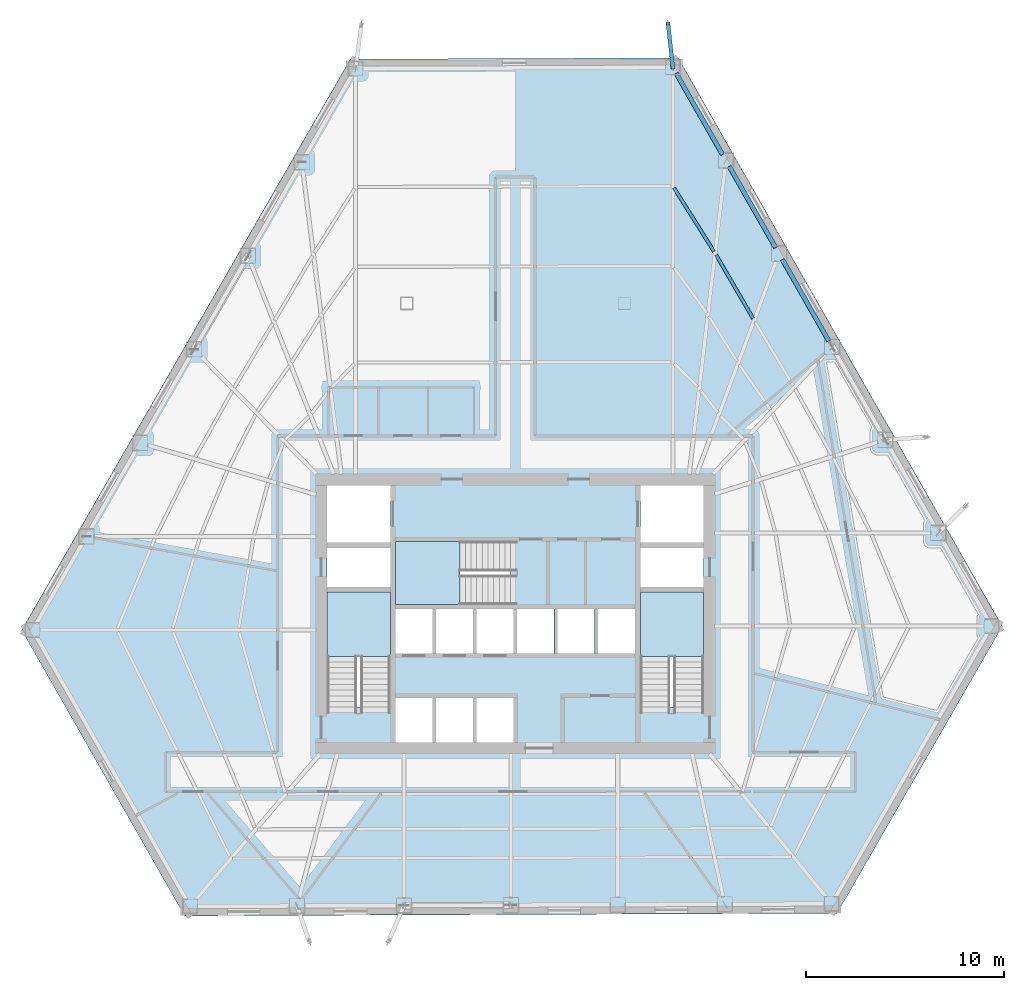
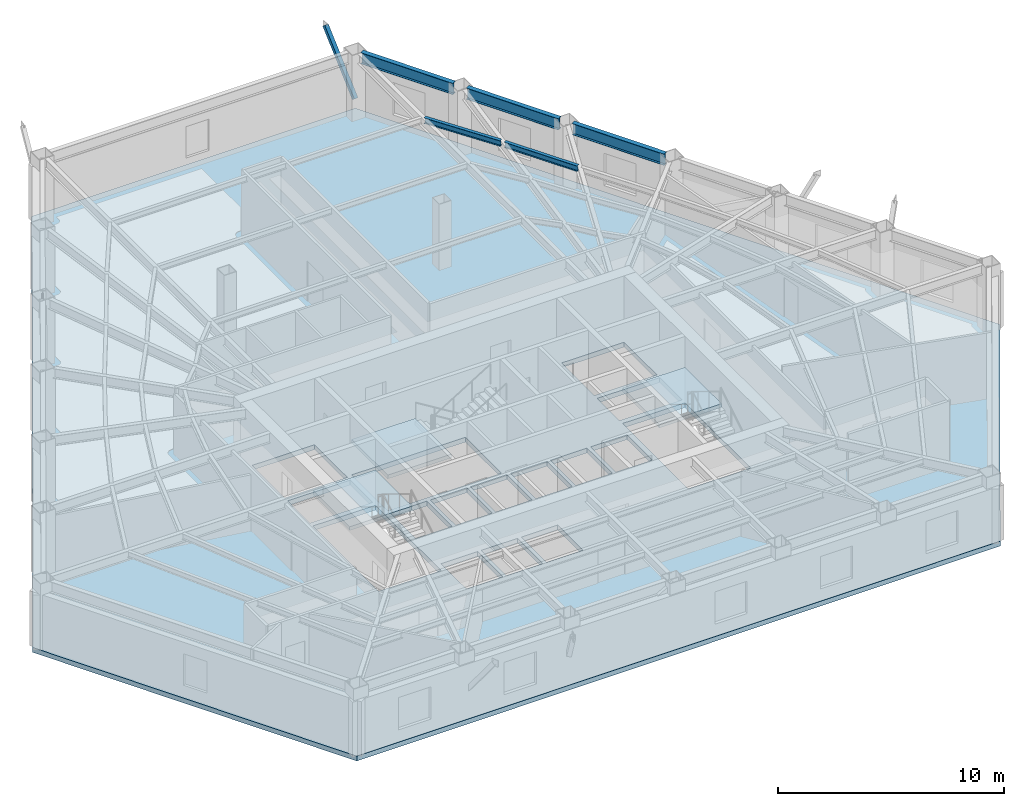
# One storey, part 3 of 12: 5 beams, 4 slabs, 1 member, 3 elements without a shape of their own.
"""IFC4 building model written with IfcOpenShell, lengths in metres."""

import ifcopenshell
import ifcopenshell.guid

model = None  # the IFC model being written
_history = None  # IfcOwnerHistory: only IFC2X3 demands one
_inside = {}  # id of a spatial element -> (the spatial element, [elements in it])
_under = {}  # id of a project, library or spatial element -> (it, [spatial elements below it])
_declared = {}  # id of a project -> (the project, [libraries it declares])
_typed = {}  # id of a type object -> (the type object, [elements of that type])
_made_of = {}  # id of a material, layer set ... -> (it, [elements and type objects made of it])


def new_model(schema):
    """Start an empty IFC model of exactly this schema.

    Asked for "IFC4X3", IfcOpenShell would pick the latest addendum, in which some entities
    have other attributes; the version numbers below select the first issue.
    IFC2X3 requires an IfcOwnerHistory on every rooted entity: one is made here for all.
    """
    global model, _history
    if schema == "IFC4X3":
        model = ifcopenshell.file(schema_version=(4, 3, 0, 0))
    else:
        model = ifcopenshell.file(schema=schema)
    _inside.clear()
    _under.clear()
    _declared.clear()
    _typed.clear()
    _made_of.clear()
    _history = None
    if model.schema == "IFC2X3":
        org = make("IfcOrganization", Name="unknown")
        user = make(
            "IfcPersonAndOrganization",
            ThePerson=make("IfcPerson", FamilyName="unknown"),
            TheOrganization=org,
        )
        app = make(
            "IfcApplication",
            ApplicationDeveloper=org,
            Version="unknown",
            ApplicationFullName="unknown",
            ApplicationIdentifier="unknown",
        )
        _history = make(
            "IfcOwnerHistory",
            OwningUser=user,
            OwningApplication=app,
            ChangeAction="ADDED",
            CreationDate=0,
        )
    return model


def make(cls, **values):
    """One entity of the class cls with the attributes given. An attribute that is None is left unset."""
    return model.create_entity(
        cls, **{name: value for name, value in values.items() if value is not None}
    )


def rooted(cls, **values):
    """An entity with a GlobalId (a new one), such as an element, a storey or a relation."""
    return make(cls, GlobalId=ifcopenshell.guid.new(), OwnerHistory=_history, **values)


def si_unit(unit_type, name, prefix=None):
    """IfcSIUnit, for example si_unit("LENGTHUNIT", "METRE", prefix="MILLI")."""
    return make("IfcSIUnit", UnitType=unit_type, Prefix=prefix, Name=name)


def assignment(units):
    """IfcUnitAssignment: the units of a project."""
    return None if units is None else make("IfcUnitAssignment", Units=units)


def point(xyz):
    """IfcCartesianPoint."""
    return None if xyz is None else make("IfcCartesianPoint", Coordinates=xyz)


def direction(xyz):
    """IfcDirection."""
    return None if xyz is None else make("IfcDirection", DirectionRatios=xyz)


def frame(location, z_axis=None, x_axis=None):
    """IfcAxis2Placement3D, a coordinate frame: its origin and axes. An axis left out is left unset."""
    return make(
        "IfcAxis2Placement3D",
        Location=point(location),
        Axis=direction(z_axis),
        RefDirection=direction(x_axis),
    )


def frame_2d(location, x_axis=None):
    """IfcAxis2Placement2D, a coordinate frame in the plane: its origin and x axis."""
    return make(
        "IfcAxis2Placement2D", Location=point(location), RefDirection=direction(x_axis)
    )


def origin():
    """The frame at (0, 0, 0) with its axes left unset."""
    return frame((0.0, 0.0, 0.0))


def origin_2d():
    """The frame at (0, 0) in the plane with its x axis left unset."""
    return frame_2d((0.0, 0.0))


def place(relative_to, where):
    """IfcLocalPlacement: puts the frame where relative to a parent placement (None: the world)."""
    return make(
        "IfcLocalPlacement", PlacementRelTo=relative_to, RelativePlacement=where
    )


def context(
    kind, dimensions, precision=None, world=None, true_north=None, identifier=None
):
    """IfcGeometricRepresentationContext, for example the 3D "Model" context."""
    return make(
        "IfcGeometricRepresentationContext",
        ContextIdentifier=identifier,
        ContextType=kind,
        CoordinateSpaceDimension=dimensions,
        Precision=precision,
        WorldCoordinateSystem=world,
        TrueNorth=true_north,
    )


def subcontext(parent, identifier, kind, view, scale=None):
    """IfcGeometricRepresentationSubContext, for example "Body" below "Model"."""
    return make(
        "IfcGeometricRepresentationSubContext",
        ContextIdentifier=identifier,
        ContextType=kind,
        ParentContext=parent,
        TargetScale=scale,
        TargetView=view,
    )


def project(units=None, contexts=None):
    """IfcProject with its units and contexts."""
    return rooted(
        "IfcProject",
        Name="project",
        RepresentationContexts=contexts,
        UnitsInContext=assignment(units),
    )


def spatial(cls, under=None, at=None, **own):
    """A site, building, storey or space (cls), placed at a placement, below another one or the project."""
    s = rooted(cls, ObjectPlacement=at, **own)
    if under is not None:
        _under.setdefault(under.id(), (under, []))[1].append(s)
    return s


def polyline(points):
    """IfcPolyline through the points."""
    return make("IfcPolyline", Points=[point(p) for p in points])


def profile(cls, at=None, kind="AREA", **sizes):
    """A parametric profile (cls). Its sizes go by their IFC names, for example OverallWidth=200.0."""
    return make(cls, ProfileType=kind, Position=at, **sizes)


def hollow_rectangle(**sizes):
    """IfcRectangleHollowProfileDef."""
    return profile("IfcRectangleHollowProfileDef", **sizes)


def i_section(**sizes):
    """IfcIShapeProfileDef."""
    return profile("IfcIShapeProfileDef", **sizes)


def outline(outer, holes=None, kind="AREA"):
    """IfcArbitraryClosedProfileDef: a profile drawn as a closed curve; with holes, ...WithVoids."""
    if holes is None:
        return make("IfcArbitraryClosedProfileDef", ProfileType=kind, OuterCurve=outer)
    return make(
        "IfcArbitraryProfileDefWithVoids",
        ProfileType=kind,
        OuterCurve=outer,
        InnerCurves=holes,
    )


def extrude(swept, where, along, depth):
    """IfcExtrudedAreaSolid: the profile swept, set in the frame where, extruded along a direction by depth."""
    return make(
        "IfcExtrudedAreaSolid",
        SweptArea=swept,
        Position=where,
        ExtrudedDirection=direction(along),
        Depth=depth,
    )


def shape(context_of_items, identifier, shape_type, items):
    """IfcShapeRepresentation: the items that make up one representation, for example the "Body"."""
    return make(
        "IfcShapeRepresentation",
        ContextOfItems=context_of_items,
        RepresentationIdentifier=identifier,
        RepresentationType=shape_type,
        Items=items,
    )


def material(Name=None, Category=None):
    """IfcMaterial."""
    return make("IfcMaterial", Name=Name, Category=Category)


def layer(
    of_material, thickness, ventilated=None, Name=None, Category=None, Priority=None
):
    """IfcMaterialLayer: one layer of a wall or slab, of a material (None: an air gap)."""
    return make(
        "IfcMaterialLayer",
        Material=of_material,
        LayerThickness=thickness,
        IsVentilated=ventilated,
        Name=Name,
        Category=Category,
        Priority=Priority,
    )


def layer_set(layers, Name=None):
    """IfcMaterialLayerSet."""
    return make("IfcMaterialLayerSet", MaterialLayers=layers, LayerSetName=Name)


def material_profile(
    of_material, cross_section, Name=None, Category=None, Priority=None
):
    """IfcMaterialProfile: a cross section and its material."""
    return make(
        "IfcMaterialProfile",
        Name=Name,
        Material=of_material,
        Profile=cross_section,
        Priority=Priority,
        Category=Category,
    )


def profile_set(profiles, Name=None, composite=None):
    """IfcMaterialProfileSet."""
    return make(
        "IfcMaterialProfileSet",
        Name=Name,
        MaterialProfiles=profiles,
        CompositeProfile=composite,
    )


def made_of(thing, what):
    """Note that an element or type object is made of a material, layer set ...; save() writes the relation."""
    if what is not None:
        _made_of.setdefault(what.id(), (what, []))[1].append(thing)
    return thing


def type_object(cls, material=None, **own):
    """A type object (cls), such as IfcWallType, which elements share."""
    return made_of(rooted(cls, **own), material)


def element(
    cls,
    number,
    at=None,
    inside=None,
    cuts=None,
    type_object=None,
    material=None,
    context=None,
    identifier="Body",
    shape_type=None,
    held_by="IfcProductDefinitionShape",
    body=None,
    shapes=None,
    **own,
):
    """One element of the class cls, such as IfcWall. Its Tag is "e" and its number.

    at: its placement. inside: the storey or other place that contains it. cuts: it is an
    opening in that element (IfcRelVoidsElement). A single representation is given by context,
    identifier, shape_type and body (its items); several are given by shapes. held_by: the class
    of the entity that holds the representations. save() writes the other relations.
    """
    e = rooted(cls, Tag="e%d" % number, ObjectPlacement=at, **own)
    if body is not None:
        shapes = [shape(context, identifier, shape_type, body)]
    if shapes is not None:
        e.Representation = make(held_by, Representations=shapes)
    if inside is not None:
        _inside.setdefault(inside.id(), (inside, []))[1].append(e)
    if cuts is not None:
        rooted(
            "IfcRelVoidsElement", RelatingBuildingElement=cuts, RelatedOpeningElement=e
        )
    if type_object is not None:
        _typed.setdefault(type_object.id(), (type_object, []))[1].append(e)
    return made_of(e, material)


def aggregate(whole, parts):
    """IfcRelAggregates: a whole, such as a stair, and the parts it consists of."""
    return rooted("IfcRelAggregates", RelatingObject=whole, RelatedObjects=parts)


def save(model, path):
    """Write the relations noted so far, then the file.

    IfcRelAggregates (storeys below a building ...), IfcRelContainedInSpatialStructure (elements
    in a storey), IfcRelDefinesByType, IfcRelAssociatesMaterial and IfcRelDeclares: one each for
    every whole, place, type object, material and project.
    """
    for whole, parts in _under.values():
        aggregate(whole, parts)
    for where, things in _inside.values():
        rooted(
            "IfcRelContainedInSpatialStructure",
            RelatedElements=things,
            RelatingStructure=where,
        )
    for kind, things in _typed.values():
        rooted("IfcRelDefinesByType", RelatedObjects=things, RelatingType=kind)
    for what, things in _made_of.values():
        rooted("IfcRelAssociatesMaterial", RelatedObjects=things, RelatingMaterial=what)
    for by, libraries in _declared.values():
        rooted("IfcRelDeclares", RelatingContext=by, RelatedDefinitions=libraries)
    model.write(path)


model = new_model("IFC4")

# Units and contexts
model_context = context("Model", 3, precision=1e-05, world=origin(), true_north=direction((0.0, 1.0)))
body_context = subcontext(model_context, "Body", "Model", "MODEL_VIEW")
ifc_project = project(units=[si_unit("LENGTHUNIT", "METRE"), si_unit("AREAUNIT", "SQUARE_METRE"), si_unit("VOLUMEUNIT", "CUBIC_METRE"), si_unit("PLANEANGLEUNIT", "RADIAN"), si_unit("MASSUNIT", "GRAM", prefix="KILO")], contexts=[model_context])

# Site, building, storey
site_placement = place(None, origin())
site = spatial("IfcSite", under=ifc_project, at=site_placement, CompositionType="ELEMENT")
building_placement = place(site_placement, origin())
building = spatial("IfcBuilding", under=site, at=building_placement, Name="Kavelnor Concourse Tower", CompositionType="ELEMENT")
storey_placement = place(building_placement, frame((0.0, 0.0, 13.699951171875)))
storey = spatial("IfcBuildingStorey", under=building, at=storey_placement, Name="L03", CompositionType="ELEMENT", Elevation=13.699951171875)

# Beams
ifc_material_1 = material(Name="Steel Grade 350", Category="steel")
ifc_material_profile_1 = material_profile(ifc_material_1, i_section(OverallWidth=0.166015625, OverallDepth=0.306884765625, WebThickness=0.006591796875, FlangeThickness=0.01171875, at=origin_2d()), Name="310UB46")
ifc_profile_set_1 = profile_set([ifc_material_profile_1], Name="Steel Grade 350")
beam_type_1 = type_object("IfcBeamType", Name="BM-JOIST-310", PredefinedType="JOIST", material=ifc_profile_set_1)
beam_1_placement = place(storey_placement, frame((50.02734375, 31.0341796875, 3.4365234375), z_axis=(-0.503215485021, 0.864160966276, 0.0), x_axis=(-0.864160966276, -0.503215485021, 0.0)))
element("IfcBeam", 1, at=beam_1_placement, inside=storey, type_object=beam_type_1, Name="L03 Secondary Composite Joist 13-3", PredefinedType="JOIST", context=body_context, shape_type="SweptSolid", body=[
    extrude(i_section(OverallWidth=0.166015625, OverallDepth=0.306884765625, WebThickness=0.006591796875, FlangeThickness=0.01171875, at=origin_2d()), origin(), (0.0, 0.0, 1.0), 3.72900390625),
])
beam_2_placement = place(storey_placement, frame((48.048828125, 34.425048828125, 3.4365234375), z_axis=(-0.532932186547, 0.846157954842, 0.0), x_axis=(-0.846157954842, -0.532932186547, 0.0)))
element("IfcBeam", 2, at=beam_2_placement, inside=storey, type_object=beam_type_1, Name="L03 Secondary Composite Joist 14-3", PredefinedType="JOIST", context=body_context, shape_type="SweptSolid", body=[
    extrude(i_section(OverallWidth=0.166015625, OverallDepth=0.306884765625, WebThickness=0.006591796875, FlangeThickness=0.01171875, at=origin_2d()), origin(), (0.0, 0.0, 1.0), 3.8115234375),
])
ifc_material_profile_2 = material_profile(ifc_material_1, i_section(OverallWidth=0.22900390625, OverallDepth=0.612060546875, WebThickness=0.011962890625, FlangeThickness=0.01953125, at=origin_2d()), Name="610UB125")
ifc_profile_set_2 = profile_set([ifc_material_profile_2], Name="Steel Grade 350")
beam_type_2 = type_object("IfcBeamType", Name="BM-SPANDREL-Z1", PredefinedType="SPANDREL", material=ifc_profile_set_2)
beam_3_placement = place(storey_placement, frame((53.8515625, 29.908935546875, 3.283935546875), z_axis=(-0.495288702286, 0.86872843938, 0.0), x_axis=(-0.86872843938, -0.495288702286, 0.0)))
element("IfcBeam", 3, at=beam_3_placement, inside=storey, type_object=beam_type_2, Name="L03 Perimeter Tube Spandrel Beam F2-B3", PredefinedType="SPANDREL", context=body_context, shape_type="SweptSolid", body=[
    extrude(i_section(OverallWidth=0.22900390625, OverallDepth=0.612060546875, WebThickness=0.011962890625, FlangeThickness=0.01953125, at=origin_2d()), origin(), (0.0, 0.0, 1.0), 4.732666015625),
])
beam_4_placement = place(storey_placement, frame((51.165771484375, 34.61962890625, 3.283935546875), z_axis=(-0.495310899614, 0.868715783627, 0.0), x_axis=(-0.868715783627, -0.495310899614, 0.0)))
element("IfcBeam", 4, at=beam_4_placement, inside=storey, type_object=beam_type_2, Name="L03 Perimeter Tube Spandrel Beam F2-B4", PredefinedType="SPANDREL", context=body_context, shape_type="SweptSolid", body=[
    extrude(i_section(OverallWidth=0.22900390625, OverallDepth=0.612060546875, WebThickness=0.011962890625, FlangeThickness=0.01953125, at=origin_2d()), origin(), (0.0, 0.0, 1.0), 4.732421875),
])
beam_5_placement = place(storey_placement, frame((48.47998046875, 39.330078125, 3.283935546875), z_axis=(-0.495288702286, 0.86872843938, 0.0), x_axis=(-0.86872843938, -0.495288702286, 0.0)))
element("IfcBeam", 5, at=beam_5_placement, inside=storey, type_object=beam_type_2, Name="L03 Perimeter Tube Spandrel Beam F2-B5", PredefinedType="SPANDREL", context=body_context, shape_type="SweptSolid", body=[
    extrude(i_section(OverallWidth=0.22900390625, OverallDepth=0.612060546875, WebThickness=0.011962890625, FlangeThickness=0.01953125, at=origin_2d()), origin(), (0.0, 0.0, 1.0), 4.732666015625),
])

# Member
ifc_material_profile_3 = material_profile(ifc_material_1, hollow_rectangle(XDim=0.199951171875, YDim=0.199951171875, WallThickness=0.011962890625, at=origin_2d()), Name="SHS 200x200x12")
ifc_profile_set_3 = profile_set([ifc_material_profile_3], Name="Steel Grade 350")
member_type = type_object("IfcMemberType", Name="MBR-TERR-STRUT-200", PredefinedType="STRUT", material=ifc_profile_set_3)
member_placement = place(storey_placement, frame((45.965087890625, 43.740966796875, 0.900146484375), z_axis=(-0.069096149101, 0.627473345998, 0.775566194623), x_axis=(-0.993991594663, -0.109456428498, 0.0)))
element("IfcMember", 6, at=member_placement, inside=storey, type_object=member_type, Name="L03 Spiral Terrace Raking Knee Strut C0-A", PredefinedType="STRUT", context=body_context, shape_type="SweptSolid", body=[
    extrude(hollow_rectangle(XDim=0.199951171875, YDim=0.199951171875, WallThickness=0.011962890625, at=origin_2d()), origin(), (0.0, 0.0, 1.0), 3.5263671875),
])

# Stair, slab
ifc_material_2 = material(Name="Concrete C40/50", Category="concrete")
stair_type = type_object("IfcStairType", Name="STR-CORE-1500", PredefinedType="HALF_TURN_STAIR", material=ifc_material_2)
stair_1_placement = place(storey_placement, origin())
stair_1 = element("IfcStair", 7, at=stair_1_placement, inside=storey, type_object=stair_type, Name="L03 ST1", PredefinedType="HALF_TURN_STAIR")
ifc_layer_1 = layer(ifc_material_2, 0.199951171875, Name="Concrete C40/50")
ifc_layer_set_1 = layer_set([ifc_layer_1], Name="Concrete C40/50")
slab_type_1 = type_object("IfcSlabType", Name="SLB-LANDING-200", PredefinedType="LANDING", material=ifc_layer_set_1)
slab_1_placement = place(storey_placement, frame((0.0, 0.0, 1.72509765625)))
slab_1 = element("IfcSlab", 8, at=slab_1_placement, type_object=slab_type_1, Name="ST1 landing 1", PredefinedType="LANDING", context=body_context, shape_type="SweptSolid", body=[
    extrude(outline(polyline([(31.679931640625, 13.949951171875), (31.679931640625, 17.199951171875), (28.47998046875, 17.199951171875), (28.47998046875, 13.949951171875), (31.679931640625, 13.949951171875)])), origin(), (0.0, 0.0, 1.0), 0.199951171875),
])
aggregate(stair_1, [slab_1])

stair_2_placement = place(storey_placement, origin())
stair_2 = element("IfcStair", 9, at=stair_2_placement, inside=storey, type_object=stair_type, Name="L03 ST2", PredefinedType="HALF_TURN_STAIR")
slab_2_placement = place(storey_placement, frame((0.0, 0.0, 1.72509765625)))
slab_2 = element("IfcSlab", 10, at=slab_2_placement, type_object=slab_type_1, Name="ST2 landing 1", PredefinedType="LANDING", context=body_context, shape_type="SweptSolid", body=[
    extrude(outline(polyline([(47.52001953125, 13.949951171875), (47.52001953125, 17.199951171875), (44.320068359375, 17.199951171875), (44.320068359375, 13.949951171875), (47.52001953125, 13.949951171875)])), origin(), (0.0, 0.0, 1.0), 0.199951171875),
])
aggregate(stair_2, [slab_2])

stair_3_placement = place(storey_placement, origin())
stair_3 = element("IfcStair", 11, at=stair_3_placement, inside=storey, type_object=stair_type, Name="L03 ST3", PredefinedType="HALF_TURN_STAIR")
slab_3_placement = place(storey_placement, frame((0.0, 0.0, 1.72509765625)))
slab_3 = element("IfcSlab", 12, at=slab_3_placement, type_object=slab_type_1, Name="ST3 landing 1", PredefinedType="LANDING", context=body_context, shape_type="SweptSolid", body=[
    extrude(outline(polyline([(35.18994140625, 19.760009765625), (31.93994140625, 19.760009765625), (31.93994140625, 16.56005859375), (35.18994140625, 16.56005859375), (35.18994140625, 19.760009765625)])), origin(), (0.0, 0.0, 1.0), 0.199951171875),
])
aggregate(stair_3, [slab_3])

# Slab
ifc_layer_2 = layer(ifc_material_2, 0.260009765625, Name="Concrete C40/50")
ifc_layer_set_2 = layer_set([ifc_layer_2], Name="Concrete C40/50")
slab_type_2 = type_object("IfcSlabType", Name="SLB-OFFICE-260", PredefinedType="FLOOR", material=ifc_layer_set_2)
slab_4_placement = place(storey_placement, frame((0.0, 0.0, -0.260009765625)))
element("IfcSlab", 13, at=slab_4_placement, inside=storey, type_object=slab_type_2, Name="L03 Composite Structural Floor Slab", PredefinedType="FLOOR", context=body_context, shape_type="SweptSolid", body=[
    extrude(outline(polyline([(46.2431640625, 44.22216796875), (29.642578125, 44.15625), (13.026123046875, 15.27978515625), (21.269287109375, 0.822021484375), (54.275634765625, 0.952880859375), (62.633056640625, 15.4765625), (46.2431640625, 44.22216796875)]), holes=[polyline([(28.47998046875, 11.3798828125), (31.679931640625, 11.3798828125), (31.679931640625, 17.199951171875), (28.47998046875, 17.199951171875), (28.47998046875, 11.3798828125)]), polyline([(44.320068359375, 11.3798828125), (47.52001953125, 11.3798828125), (47.52001953125, 17.199951171875), (44.320068359375, 17.199951171875), (44.320068359375, 11.3798828125)]), polyline([(31.93994140625, 16.56005859375), (37.760009765625, 16.56005859375), (37.760009765625, 19.760009765625), (31.93994140625, 19.760009765625), (31.93994140625, 16.56005859375)]), polyline([(28.47998046875, 19.699951171875), (31.679931640625, 19.699951171875), (31.679931640625, 22.60009765625), (28.47998046875, 22.60009765625), (28.47998046875, 19.699951171875)]), polyline([(44.320068359375, 19.699951171875), (47.52001953125, 19.699951171875), (47.52001953125, 22.60009765625), (44.320068359375, 22.60009765625), (44.320068359375, 19.699951171875)]), polyline([(31.93994140625, 14.10009765625), (33.81005859375, 14.10009765625), (33.81005859375, 16.340087890625), (31.93994140625, 16.340087890625), (31.93994140625, 14.10009765625)]), polyline([(33.989990234375, 14.10009765625), (35.860107421875, 14.10009765625), (35.860107421875, 16.340087890625), (33.989990234375, 16.340087890625), (33.989990234375, 14.10009765625)]), polyline([(36.0400390625, 14.10009765625), (37.909912109375, 14.10009765625), (37.909912109375, 16.340087890625), (36.0400390625, 16.340087890625), (36.0400390625, 14.10009765625)]), polyline([(38.090087890625, 14.10009765625), (39.9599609375, 14.10009765625), (39.9599609375, 16.340087890625), (38.090087890625, 16.340087890625), (38.090087890625, 14.10009765625)]), polyline([(40.139892578125, 14.10009765625), (42.010009765625, 14.10009765625), (42.010009765625, 16.340087890625), (40.139892578125, 16.340087890625), (40.139892578125, 14.10009765625)]), polyline([(42.18994140625, 14.10009765625), (44.06005859375, 14.10009765625), (44.06005859375, 16.340087890625), (42.18994140625, 16.340087890625), (42.18994140625, 14.10009765625)]), polyline([(31.93994140625, 9.60009765625), (33.81005859375, 9.60009765625), (33.81005859375, 11.840087890625), (31.93994140625, 11.840087890625), (31.93994140625, 9.60009765625)]), polyline([(33.989990234375, 9.60009765625), (35.860107421875, 9.60009765625), (35.860107421875, 11.840087890625), (33.989990234375, 11.840087890625), (33.989990234375, 9.60009765625)]), polyline([(36.0400390625, 9.60009765625), (37.909912109375, 9.60009765625), (37.909912109375, 11.840087890625), (36.0400390625, 11.840087890625), (36.0400390625, 9.60009765625)]), polyline([(28.47998046875, 17.4599609375), (31.679931640625, 17.4599609375), (31.679931640625, 19.43994140625), (28.47998046875, 19.43994140625), (28.47998046875, 17.4599609375)]), polyline([(44.320068359375, 17.4599609375), (47.52001953125, 17.4599609375), (47.52001953125, 19.43994140625), (44.320068359375, 19.43994140625), (44.320068359375, 17.4599609375)])]), origin(), (0.0, 0.0, 1.0), 0.260009765625),
])

save(model, "model.ifc")
